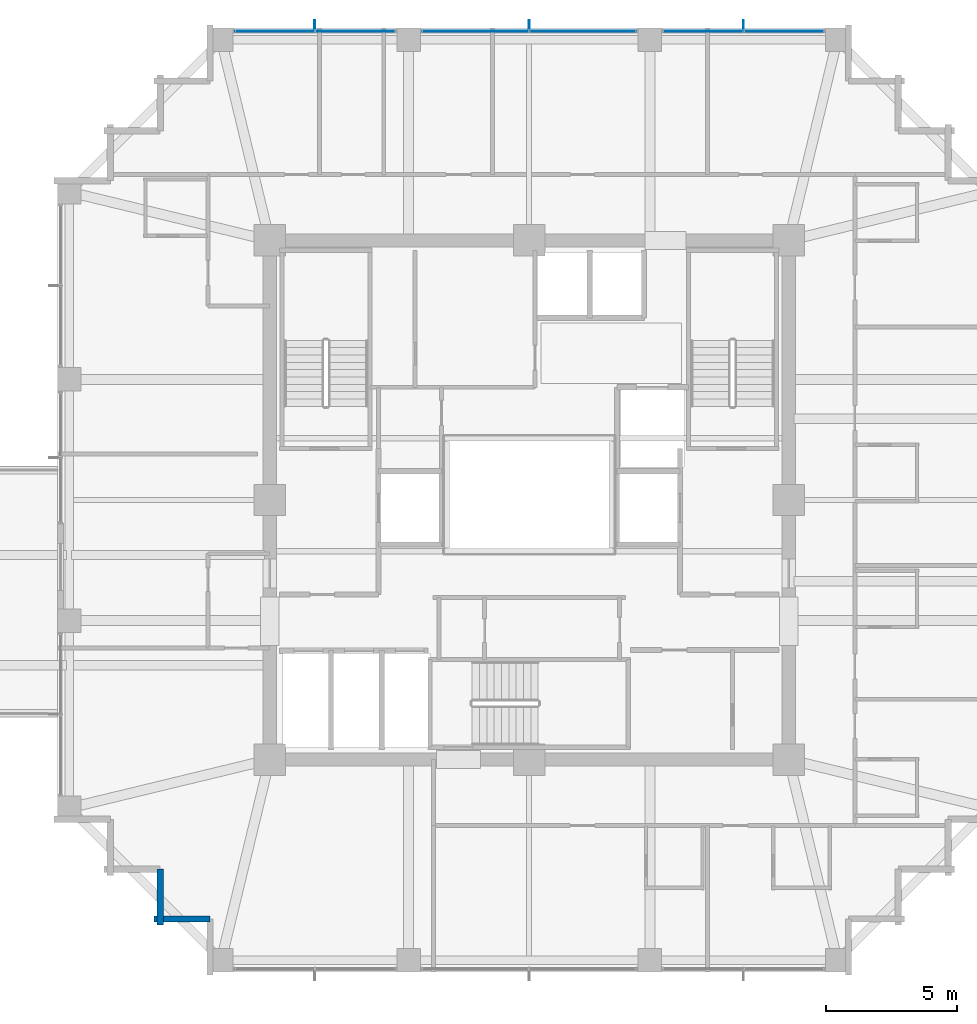
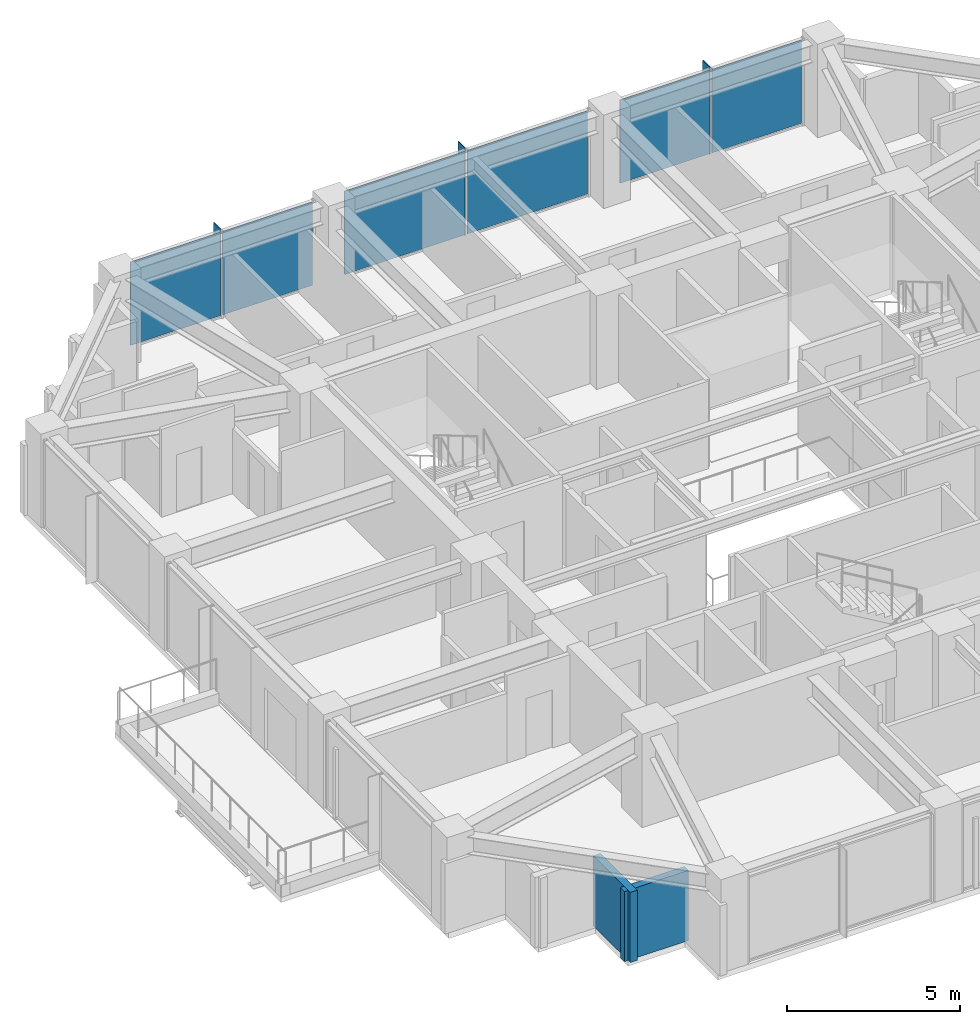
# One storey, part 26 of 32: 9 plates, 2 walls, 3 elements without a shape of their own.
"""IFC4 building model written with IfcOpenShell, lengths in metres."""

from ifc_helpers import new_model, si_unit, direction, frame, frame_2d, origin, origin_2d, place, context, subcontext, project, spatial, rectangle, extrude, material, layer, layer_set, type_object, element, aggregate, save


model = new_model("IFC4")

# Units and contexts
model_context = context("Model", 3, precision=1e-05, world=origin(), true_north=direction((0.0, 1.0)))
body_context = subcontext(model_context, "Body", "Model", "MODEL_VIEW")
ifc_project = project(units=[si_unit("LENGTHUNIT", "METRE"), si_unit("AREAUNIT", "SQUARE_METRE"), si_unit("VOLUMEUNIT", "CUBIC_METRE"), si_unit("PLANEANGLEUNIT", "RADIAN"), si_unit("MASSUNIT", "GRAM", prefix="KILO")], contexts=[model_context])

# Site, building, storey
site_placement = place(None, origin())
site = spatial("IfcSite", under=ifc_project, at=site_placement, CompositionType="ELEMENT")
building_placement = place(site_placement, origin())
building = spatial("IfcBuilding", under=site, at=building_placement, Name="Kolvaren Belvedere", CompositionType="ELEMENT")
storey_placement = place(building_placement, frame((0.0, 0.0, 141.5)))
storey = spatial("IfcBuildingStorey", under=building, at=storey_placement, Name="L41", CompositionType="ELEMENT", Elevation=141.5)

# Curtain wall, plates
ifc_material_1 = material(Name="Anodised pale-metal aluminium AA 6063-T6", Category="aluminium")
curtain_wall_type = type_object("IfcCurtainWallType", Name="CW-Z3-WAIST", PredefinedType="NOTDEFINED", material=ifc_material_1)
curtain_wall_1_placement = place(storey_placement, origin())
curtain_wall_1 = element("IfcCurtainWall", 1, at=curtain_wall_1_placement, inside=storey, type_object=curtain_wall_type, Name="L41 Unitised Curtain Wall FCW-L41-N-B1", PredefinedType="NOTDEFINED")
ifc_material_2 = material(Name="Low-iron triple insulated glass", Category="glass")
ifc_layer_1 = layer(ifc_material_2, 0.028076171875)
ifc_layer_set_1 = layer_set([ifc_layer_1], Name="Low-iron triple insulated glass")
plate_type_1 = type_object("IfcPlateType", Name="CW-PNL-VIS28", PredefinedType="CURTAIN_PANEL", material=ifc_layer_set_1)
plate_1_placement = place(storey_placement, frame((-9.711181640625, 17.8798828125, 0.080078125), z_axis=(0.0, 0.0, 1.0), x_axis=(1.0, 0.0, 0.0)))
plate_1 = element("IfcPlate", 2, at=plate_1_placement, type_object=plate_type_1, Name="FCW-L41-N-B1 Vision Glazing Panel 1", PredefinedType="CURTAIN_PANEL", context=body_context, shape_type="SweptSolid", body=[
    extrude(rectangle(XDim=2.992431640625, YDim=0.028076171875, at=origin_2d()), origin(), (0.0, 0.0, 1.0), 2.93994140625),
])
plate_2_placement = place(storey_placement, frame((-6.638671875, 17.8798828125, 0.080078125), z_axis=(0.0, 0.0, 1.0), x_axis=(1.0, 0.0, 0.0)))
plate_2 = element("IfcPlate", 3, at=plate_2_placement, type_object=plate_type_1, Name="FCW-L41-N-B1 Vision Glazing Panel 2", PredefinedType="CURTAIN_PANEL", context=body_context, shape_type="SweptSolid", body=[
    extrude(rectangle(XDim=2.992431640625, YDim=0.028076171875, at=origin_2d()), origin(), (0.0, 0.0, 1.0), 2.93994140625),
])
aggregate(curtain_wall_1, [plate_1, plate_2])

curtain_wall_2_placement = place(storey_placement, origin())
curtain_wall_2 = element("IfcCurtainWall", 4, at=curtain_wall_2_placement, inside=storey, type_object=curtain_wall_type, Name="L41 Unitised Curtain Wall FCW-L41-N-B2", PredefinedType="NOTDEFINED")
plate_3_placement = place(storey_placement, frame((-2.048828125, 17.8798828125, 0.080078125), z_axis=(0.0, 0.0, 1.0), x_axis=(1.0, 0.0, 0.0)))
plate_3 = element("IfcPlate", 5, at=plate_3_placement, type_object=plate_type_1, Name="FCW-L41-N-B2 Vision Glazing Panel 1", PredefinedType="CURTAIN_PANEL", context=body_context, shape_type="SweptSolid", body=[
    extrude(rectangle(XDim=4.017578125, YDim=0.028076171875, at=origin_2d()), origin(), (0.0, 0.0, 1.0), 2.93994140625),
])
plate_4_placement = place(storey_placement, frame((2.048828125, 17.8798828125, 0.080078125), z_axis=(0.0, 0.0, 1.0), x_axis=(1.0, 0.0, 0.0)))
plate_4 = element("IfcPlate", 6, at=plate_4_placement, type_object=plate_type_1, Name="FCW-L41-N-B2 Vision Glazing Panel 2", PredefinedType="CURTAIN_PANEL", context=body_context, shape_type="SweptSolid", body=[
    extrude(rectangle(XDim=4.017578125, YDim=0.028076171875, at=origin_2d()), origin(), (0.0, 0.0, 1.0), 2.93994140625),
])
aggregate(curtain_wall_2, [plate_3, plate_4])

curtain_wall_3_placement = place(storey_placement, origin())
curtain_wall_3 = element("IfcCurtainWall", 7, at=curtain_wall_3_placement, inside=storey, type_object=curtain_wall_type, Name="L41 Unitised Curtain Wall FCW-L41-N-B3", PredefinedType="NOTDEFINED")
plate_5_placement = place(storey_placement, frame((6.638671875, 17.8798828125, 0.080078125), z_axis=(0.0, 0.0, 1.0), x_axis=(1.0, 0.0, 0.0)))
plate_5 = element("IfcPlate", 8, at=plate_5_placement, type_object=plate_type_1, Name="FCW-L41-N-B3 Vision Glazing Panel 1", PredefinedType="CURTAIN_PANEL", context=body_context, shape_type="SweptSolid", body=[
    extrude(rectangle(XDim=2.992431640625, YDim=0.028076171875, at=origin_2d()), origin(), (0.0, 0.0, 1.0), 2.93994140625),
])
plate_6_placement = place(storey_placement, frame((9.711181640625, 17.8798828125, 0.080078125), z_axis=(0.0, 0.0, 1.0), x_axis=(1.0, 0.0, 0.0)))
plate_6 = element("IfcPlate", 9, at=plate_6_placement, type_object=plate_type_1, Name="FCW-L41-N-B3 Vision Glazing Panel 2", PredefinedType="CURTAIN_PANEL", context=body_context, shape_type="SweptSolid", body=[
    extrude(rectangle(XDim=2.992431640625, YDim=0.028076171875, at=origin_2d()), origin(), (0.0, 0.0, 1.0), 2.93994140625),
])
aggregate(curtain_wall_3, [plate_5, plate_6])

# Plates
ifc_material_3 = material(Name="Anodised pale-metal aluminium AA 6063-T6", Category="aluminium")
ifc_layer_2 = layer(ifc_material_3, 0.033935546875)
ifc_layer_set_2 = layer_set([ifc_layer_2], Name="Anodised pale-metal aluminium AA 6063-T6")
plate_type_2 = type_object("IfcPlateType", Name="FIN-VERT-380", PredefinedType="USERDEFINED", material=ifc_layer_set_2)
for number, where, z_axis, x_axis, name in (
    (10, (-8.175048828125, 18.1201171875, 0.0), (0.0, 0.0, 1.0), (0.0, 1.0, 0.0), "L41 Pale-Metal Vertical Shading Fin FCW-L41-N-B1-1"),
    (11, (0.0, 18.1201171875, 0.0), (0.0, 0.0, 1.0), (0.0, 1.0, 0.0), "L41 Pale-Metal Vertical Shading Fin FCW-L41-N-B2-1"),
    (12, (8.175048828125, 18.1201171875, 0.0), (0.0, 0.0, 1.0), (0.0, 1.0, 0.0), "L41 Pale-Metal Vertical Shading Fin FCW-L41-N-B3-1"),
):
    element("IfcPlate", number, at=place(storey_placement, frame(where, z_axis=z_axis, x_axis=x_axis)), inside=storey, type_object=plate_type_2, Name=name, ObjectType="VERTICAL FIN", PredefinedType="USERDEFINED", context=body_context, shape_type="SweptSolid", body=[
        extrude(rectangle(XDim=0.3798828125, YDim=0.033935546875, at=origin_2d()), origin(), (0.0, 0.0, 1.0), 3.10009765625),
    ])

# Walls
ifc_material_4 = material(Name="Insulated pale-metal facade wall assembly", Category="aluminium")
ifc_layer_3 = layer(ifc_material_4, 0.239990234375)
ifc_layer_set_3 = layer_set([ifc_layer_3], Name="Insulated pale-metal facade wall assembly")
wall_type = type_object("IfcWallType", Name="WL-EXT-240", PredefinedType="STANDARD", material=ifc_layer_set_3)
wall_1_placement = place(storey_placement, frame((-14.080078125, -16.219970703125, 0.0), z_axis=(0.0, 0.0, 1.0), x_axis=(0.0, 1.0, 0.0)))
element("IfcWall", 13, at=wall_1_placement, inside=storey, type_object=wall_type, Name="L41 Serrated Corner Facade Wall 26", PredefinedType="STANDARD", context=body_context, shape_type="SweptSolid", body=[
    extrude(rectangle(XDim=2.139892578125, YDim=0.239990234375, at=frame_2d((1.06982421875, 0.0))), origin(), (0.0, 0.0, 1.0), 2.47900390625),
])
wall_2_placement = place(storey_placement, frame((-12.179931640625, -15.97998046875, 0.0), z_axis=(0.0, 0.0, 1.0), x_axis=(-1.0, 0.0, 0.0)))
element("IfcWall", 14, at=wall_2_placement, inside=storey, type_object=wall_type, Name="L41 Serrated Corner Facade Wall 27", PredefinedType="STANDARD", context=body_context, shape_type="SweptSolid", body=[
    extrude(rectangle(XDim=2.14013671875, YDim=0.239990234375, at=frame_2d((1.070068359375, 0.0))), origin(), (0.0, 0.0, 1.0), 2.47900390625),
])

save(model, "model.ifc")
